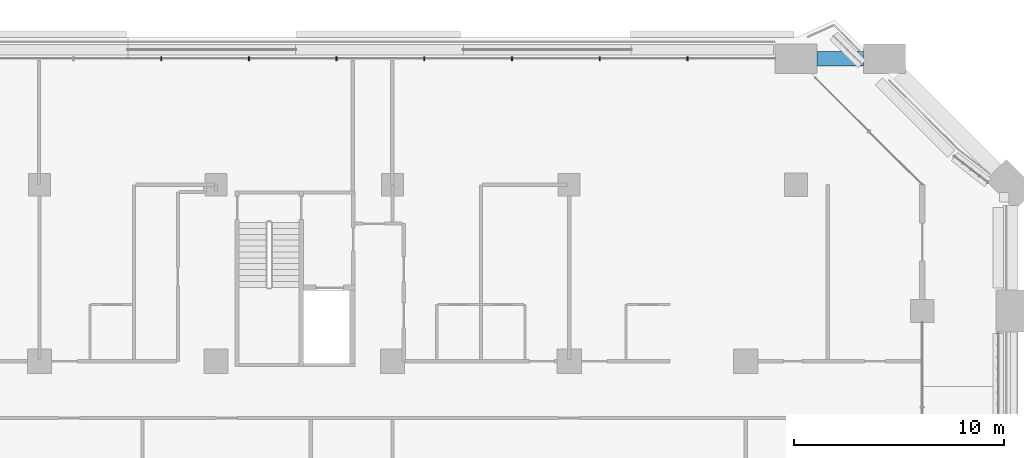
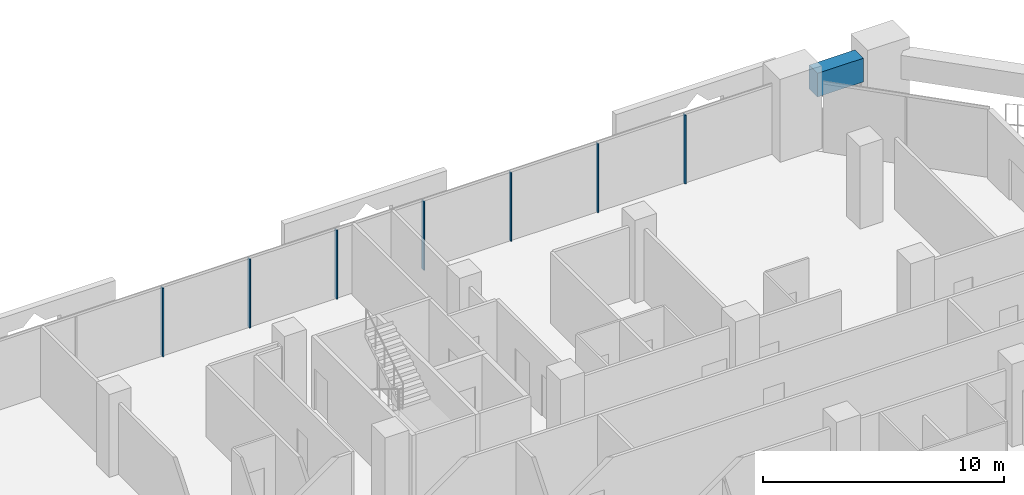
# One storey, part 10 of 27: 7 members, 1 beam, 1 element without a shape of its own.
"""IFC4 building model written with IfcOpenShell, lengths in metres."""

from ifc_helpers import new_model, si_unit, direction, frame, origin, origin_2d, place, context, subcontext, project, spatial, rectangle, extrude, material, layer, layer_set, material_profile, profile_set, type_object, element, aggregate, save


model = new_model("IFC4")

# Units and contexts
model_context = context("Model", 3, precision=1e-05, world=origin(), true_north=direction((0.0, 1.0)))
body_context = subcontext(model_context, "Body", "Model", "MODEL_VIEW")
ifc_project = project(units=[si_unit("LENGTHUNIT", "METRE"), si_unit("AREAUNIT", "SQUARE_METRE"), si_unit("VOLUMEUNIT", "CUBIC_METRE"), si_unit("PLANEANGLEUNIT", "RADIAN"), si_unit("MASSUNIT", "GRAM", prefix="KILO")], contexts=[model_context])

# Site, building, storey
site_placement = place(None, origin())
site = spatial("IfcSite", under=ifc_project, at=site_placement, CompositionType="ELEMENT")
building_placement = place(site_placement, origin())
building = spatial("IfcBuilding", under=site, at=building_placement, Name="Kawkab Arch Medical Tower", CompositionType="ELEMENT")
storey_placement = place(building_placement, frame((0.0, 0.0, 115.60009765625)))
storey = spatial("IfcBuildingStorey", under=building, at=storey_placement, Name="L26", CompositionType="ELEMENT", Elevation=115.60009765625)

# Curtain wall, members
ifc_material_1 = material(Name="Bronze anodised aluminium curtain wall frame", Category="aluminium")
ifc_layer = layer(ifc_material_1, 0.159912109375)
ifc_layer_set = layer_set([ifc_layer], Name="Bronze anodised aluminium curtain wall frame")
curtain_wall_type = type_object("IfcCurtainWallType", Name="CW1 ward curtain wall", PredefinedType="NOTDEFINED", material=ifc_layer_set)
curtain_wall_placement = place(storey_placement, origin())
curtain_wall = element("IfcCurtainWall", 1, at=curtain_wall_placement, inside=storey, type_object=curtain_wall_type, Name="CW1 Ward curtain wall R11", PredefinedType="NOTDEFINED")
ifc_material_2 = material(Name="Bronze anodised aluminium curtain wall frame", Category="aluminium")
ifc_material_profile_1 = material_profile(ifc_material_2, rectangle(XDim=0.179931640625, YDim=0.06005859375, at=origin_2d()), Name="AL 60x180")
ifc_profile_set_1 = profile_set([ifc_material_profile_1], Name="Bronze anodised aluminium curtain wall frame")
member_type = type_object("IfcMemberType", Name="CW1 mullion 60 x 180", PredefinedType="MULLION", material=ifc_profile_set_1)
member_1_placement = place(storey_placement, frame((64.4267578125, 6.0, 0.0), z_axis=(0.0, 0.0, 1.0), x_axis=(0.0, -1.0, 0.0)))
member_1 = element("IfcMember", 2, at=member_1_placement, type_object=member_type, Name="CW1 mullion 1.1", PredefinedType="MULLION", context=body_context, shape_type="SweptSolid", body=[
    extrude(rectangle(XDim=0.179931640625, YDim=0.06005859375, at=origin_2d()), origin(), (0.0, 0.0, 1.0), 3.47998046875),
])
member_2_placement = place(storey_placement, frame((60.25341796875, 6.0, 0.0), z_axis=(0.0, 0.0, 1.0), x_axis=(0.0, -1.0, 0.0)))
member_2 = element("IfcMember", 3, at=member_2_placement, type_object=member_type, Name="CW1 mullion 1.2", PredefinedType="MULLION", context=body_context, shape_type="SweptSolid", body=[
    extrude(rectangle(XDim=0.179931640625, YDim=0.06005859375, at=origin_2d()), origin(), (0.0, 0.0, 1.0), 3.47998046875),
])
member_3_placement = place(storey_placement, frame((56.080078125, 6.0, 0.0), z_axis=(0.0, 0.0, 1.0), x_axis=(0.0, -1.0, 0.0)))
member_3 = element("IfcMember", 4, at=member_3_placement, type_object=member_type, Name="CW1 mullion 1.3", PredefinedType="MULLION", context=body_context, shape_type="SweptSolid", body=[
    extrude(rectangle(XDim=0.179931640625, YDim=0.06005859375, at=origin_2d()), origin(), (0.0, 0.0, 1.0), 3.47998046875),
])
member_4_placement = place(storey_placement, frame((51.90673828125, 6.0, 0.0), z_axis=(0.0, 0.0, 1.0), x_axis=(0.0, -1.0, 0.0)))
member_4 = element("IfcMember", 5, at=member_4_placement, type_object=member_type, Name="CW1 mullion 1.4", PredefinedType="MULLION", context=body_context, shape_type="SweptSolid", body=[
    extrude(rectangle(XDim=0.179931640625, YDim=0.06005859375, at=origin_2d()), origin(), (0.0, 0.0, 1.0), 3.47998046875),
])
member_5_placement = place(storey_placement, frame((47.7333984375, 6.0, 0.0), z_axis=(0.0, 0.0, 1.0), x_axis=(0.0, -1.0, 0.0)))
member_5 = element("IfcMember", 6, at=member_5_placement, type_object=member_type, Name="CW1 mullion 1.5", PredefinedType="MULLION", context=body_context, shape_type="SweptSolid", body=[
    extrude(rectangle(XDim=0.179931640625, YDim=0.06005859375, at=origin_2d()), origin(), (0.0, 0.0, 1.0), 3.47998046875),
])
member_6_placement = place(storey_placement, frame((43.56005859375, 6.0, 0.0), z_axis=(0.0, 0.0, 1.0), x_axis=(0.0, -1.0, 0.0)))
member_6 = element("IfcMember", 7, at=member_6_placement, type_object=member_type, Name="CW1 mullion 1.6", PredefinedType="MULLION", context=body_context, shape_type="SweptSolid", body=[
    extrude(rectangle(XDim=0.179931640625, YDim=0.06005859375, at=origin_2d()), origin(), (0.0, 0.0, 1.0), 3.47998046875),
])
member_7_placement = place(storey_placement, frame((39.38671875, 6.0, 0.0), z_axis=(0.0, 0.0, 1.0), x_axis=(0.0, -1.0, 0.0)))
member_7 = element("IfcMember", 8, at=member_7_placement, type_object=member_type, Name="CW1 mullion 1.7", PredefinedType="MULLION", context=body_context, shape_type="SweptSolid", body=[
    extrude(rectangle(XDim=0.179931640625, YDim=0.06005859375, at=origin_2d()), origin(), (0.0, 0.0, 1.0), 3.47998046875),
])
aggregate(curtain_wall, [member_1, member_2, member_3, member_4, member_5, member_6, member_7])

# Beam
ifc_material_3 = material(Name="Concrete C55/67", Category="concrete")
ifc_material_profile_2 = material_profile(ifc_material_3, rectangle(XDim=0.699951171875, YDim=1.199951171875, at=origin_2d()), Name="RC 700x1200")
ifc_profile_set_2 = profile_set([ifc_material_profile_2], Name="Concrete C55/67")
beam_type = type_object("IfcBeamType", Name="RC 700x1200 beam C55/67", PredefinedType="BEAM", material=ifc_profile_set_2)
beam_placement = place(storey_placement, frame((70.60009765625, 6.0, 3.0), z_axis=(1.0, 0.0, 0.0), x_axis=(0.0, 1.0, 0.0)))
element("IfcBeam", 9, at=beam_placement, inside=storey, type_object=beam_type, Name="Terrace frame beam TF-L25-1-L27-01", PredefinedType="BEAM", context=body_context, shape_type="SweptSolid", body=[
    extrude(rectangle(XDim=0.699951171875, YDim=1.199951171875, at=origin_2d()), origin(), (0.0, 0.0, 1.0), 2.199951171875),
])

save(model, "model.ifc")
